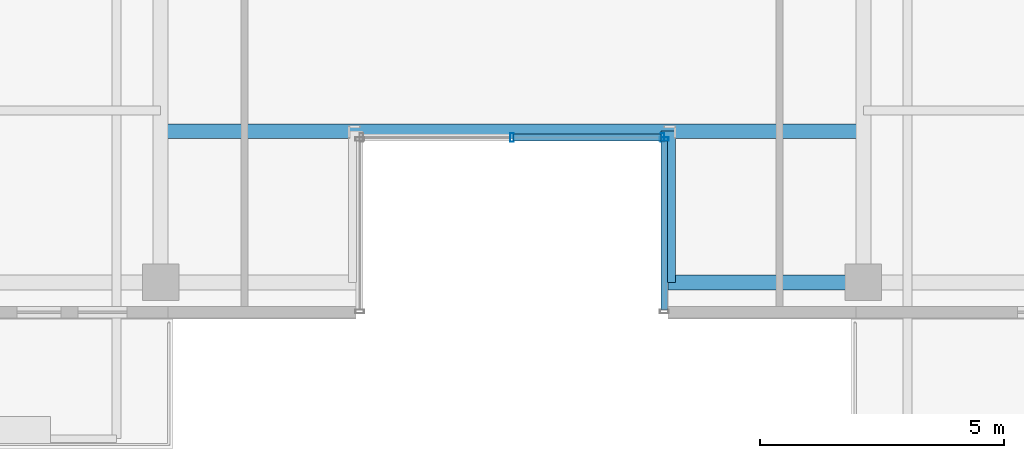
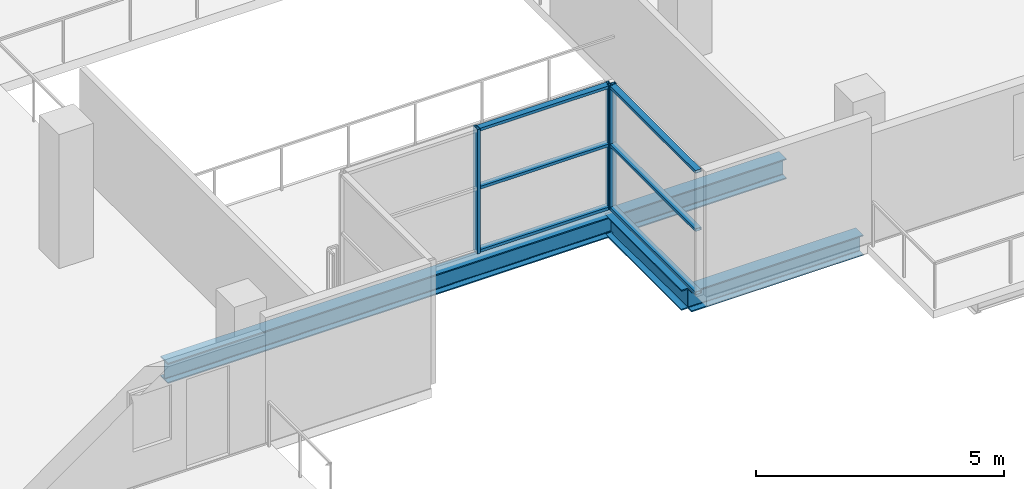
# One storey, part 3 of 21: 9 members, 3 beams, 2 elements without a shape of their own.
"""IFC4 building model written with IfcOpenShell, lengths in metres."""

from ifc_helpers import new_model, si_unit, direction, frame, origin, origin_2d, place, context, subcontext, project, spatial, hollow_rectangle, i_section, extrude, source, transform, mapped, material, layer, layer_set, material_profile, profile_set, type_object, element, aggregate, save


model = new_model("IFC4")

# Units and contexts
model_context = context("Model", 3, precision=1e-05, world=origin(), true_north=direction((0.0, 1.0)))
body_context = subcontext(model_context, "Body", "Model", "MODEL_VIEW")
ifc_project = project(units=[si_unit("LENGTHUNIT", "METRE"), si_unit("AREAUNIT", "SQUARE_METRE"), si_unit("VOLUMEUNIT", "CUBIC_METRE"), si_unit("PLANEANGLEUNIT", "RADIAN"), si_unit("MASSUNIT", "GRAM", prefix="KILO")], contexts=[model_context])

# Site, building, storey
site_placement = place(None, origin())
site = spatial("IfcSite", under=ifc_project, at=site_placement, CompositionType="ELEMENT")
building_placement = place(site_placement, origin())
building = spatial("IfcBuilding", under=site, at=building_placement, Name="Zarnakvel Exchange Tower", CompositionType="ELEMENT")
storey_placement = place(building_placement, frame((0.0, 0.0, 185.800048828125)))
storey = spatial("IfcBuildingStorey", under=building, at=storey_placement, Name="L52", CompositionType="ELEMENT", Elevation=185.800048828125)

# Beams
ifc_material_1 = material(Name="Steel S355", Category="steel")
ifc_material_profile_1 = material_profile(ifc_material_1, i_section(OverallWidth=0.300048828125, OverallDepth=0.5, WebThickness=0.014404296875, FlangeThickness=0.028076171875, FilletRadius=0.027099609375, at=origin_2d()))
ifc_profile_set_1 = profile_set([ifc_material_profile_1], Name="Steel S355")
beam_type_1 = type_object("IfcBeamType", Name="G-06", PredefinedType="BEAM", material=ifc_profile_set_1)
beam_1_placement = place(storey_placement, frame((3.199951171875, -16.64990234375, -0.47509765625), z_axis=(0.0, 1.0, 0.0), x_axis=(-1.0, 0.0, 0.0)))
element("IfcBeam", 1, at=beam_1_placement, inside=storey, type_object=beam_type_1, Name="L52 South Slot East Cheek Beam", PredefinedType="BEAM", context=body_context, shape_type="SweptSolid", body=[
    extrude(i_section(OverallWidth=0.300048828125, OverallDepth=0.5, WebThickness=0.014404296875, FlangeThickness=0.028076171875, FilletRadius=0.027099609375, at=origin_2d()), origin(), (0.0, 0.0, 1.0), 3.099853515625),
])
ifc_material_profile_2 = material_profile(ifc_material_1, i_section(OverallWidth=0.300048828125, OverallDepth=0.5, WebThickness=0.014404296875, FlangeThickness=0.028076171875, FilletRadius=0.027099609375, at=origin_2d()))
ifc_profile_set_2 = profile_set([ifc_material_profile_2], Name="Steel S355")
beam_type_2 = type_object("IfcBeamType", Name="SP-02", PredefinedType="SPANDREL", material=ifc_profile_set_2)
beam_2_placement = place(storey_placement, frame((3.199951171875, -16.64990234375, -0.47509765625), z_axis=(1.0, 0.0, 0.0), x_axis=(0.0, 1.0, 0.0)))
element("IfcBeam", 2, at=beam_2_placement, inside=storey, type_object=beam_type_2, Name="L52 South Slot East Jamb Spandrel", PredefinedType="SPANDREL", context=body_context, shape_type="SweptSolid", body=[
    extrude(i_section(OverallWidth=0.300048828125, OverallDepth=0.5, WebThickness=0.014404296875, FlangeThickness=0.028076171875, FilletRadius=0.027099609375, at=origin_2d()), origin(), (0.0, 0.0, 1.0), 4.0),
])
beam_3_placement = place(storey_placement, frame((-7.199951171875, -13.550048828125, -0.47509765625), z_axis=(1.0, 0.0, 0.0), x_axis=(0.0, 1.0, 0.0)))
element("IfcBeam", 3, at=beam_3_placement, inside=storey, type_object=beam_type_2, Name="L52 South Slot Head Trimmer Girder", PredefinedType="SPANDREL", context=body_context, shape_type="SweptSolid", body=[
    extrude(i_section(OverallWidth=0.300048828125, OverallDepth=0.5, WebThickness=0.014404296875, FlangeThickness=0.028076171875, FilletRadius=0.027099609375, at=origin_2d()), origin(), (0.0, 0.0, 1.0), 14.39990234375),
])

# Curtain wall, members
ifc_material_2 = material(Name="Architectural Bronze Anodised Aluminium", Category="aluminium")
ifc_layer = layer(ifc_material_2, 0.179931640625)
ifc_layer_set = layer_set([ifc_layer], Name="Architectural Bronze Anodised Aluminium")
curtain_wall_type = type_object("IfcCurtainWallType", Name="CW-05", PredefinedType="NOTDEFINED", material=ifc_layer_set)
curtain_wall_1_placement = place(storey_placement, origin())
curtain_wall_1 = element("IfcCurtainWall", 4, at=curtain_wall_1_placement, inside=storey, type_object=curtain_wall_type, Name="L52 Curtain Wall CW-L52-SLE (CW-05)", PredefinedType="NOTDEFINED")
ifc_material_profile_3 = material_profile(ifc_material_2, hollow_rectangle(XDim=0.139892578125, YDim=0.070068359375, WallThickness=0.00390625, at=origin_2d()))
ifc_profile_set_3 = profile_set([ifc_material_profile_3], Name="Architectural Bronze Anodised Aluminium")
member_type_1 = type_object("IfcMemberType", Name="CWT-05", PredefinedType="USERDEFINED", material=ifc_profile_set_3)
shared_shape_1 = source(origin(), body_context, "Body", "SweptSolid", [
    extrude(hollow_rectangle(XDim=0.139892578125, YDim=0.070068359375, WallThickness=0.00390625, at=origin_2d()), origin(), (0.0, 0.0, 1.0), 3.4599609375),
])
member_1_placement = place(storey_placement, frame((3.1201171875, -13.75, 0.034912109375), z_axis=(0.0, -1.0, 0.0), x_axis=(1.0, 0.0, 0.0)))
member_1 = element("IfcMember", 5, at=member_1_placement, type_object=member_type_1, Name="CW-05 transom 1.1", ObjectType="TRANSOM", PredefinedType="USERDEFINED", context=body_context, shape_type="MappedRepresentation", body=[
    mapped(shared_shape_1, transform((0.0, 0.0, 0.0), x_axis=(1.0, 0.0, 0.0), y_axis=(0.0, 1.0, 0.0), z_axis=(0.0, 0.0, 1.0), scale=1.0)),
])
member_2_placement = place(storey_placement, frame((3.1201171875, -13.75, 1.588623046875), z_axis=(0.0, -1.0, 0.0), x_axis=(1.0, 0.0, 0.0)))
member_2 = element("IfcMember", 6, at=member_2_placement, type_object=member_type_1, Name="CW-05 transom 1.2", ObjectType="TRANSOM", PredefinedType="USERDEFINED", context=body_context, shape_type="MappedRepresentation", body=[
    mapped(shared_shape_1, transform((0.0, 0.0, 0.0), x_axis=(1.0, 0.0, 0.0), y_axis=(0.0, 1.0, 0.0), z_axis=(0.0, 0.0, 1.0), scale=1.0)),
])
member_3_placement = place(storey_placement, frame((3.1201171875, -13.75, 3.02001953125), z_axis=(0.0, -1.0, 0.0), x_axis=(1.0, 0.0, 0.0)))
member_3 = element("IfcMember", 7, at=member_3_placement, type_object=member_type_1, Name="CW-05 transom 1.3", ObjectType="TRANSOM", PredefinedType="USERDEFINED", context=body_context, shape_type="MappedRepresentation", body=[
    mapped(shared_shape_1, transform((0.0, 0.0, 0.0), x_axis=(1.0, 0.0, 0.0), y_axis=(0.0, 1.0, 0.0), z_axis=(0.0, 0.0, 1.0), scale=1.0)),
])

curtain_wall_2_placement = place(storey_placement, origin())
curtain_wall_2 = element("IfcCurtainWall", 8, at=curtain_wall_2_placement, inside=storey, type_object=curtain_wall_type, Name="L52 Curtain Wall CW-L52-SLB (CW-05)", PredefinedType="NOTDEFINED")
shared_shape_2 = source(origin(), body_context, "Body", "SweptSolid", [
    extrude(hollow_rectangle(XDim=0.139892578125, YDim=0.070068359375, WallThickness=0.00390625, at=origin_2d()), origin(), (0.0, 0.0, 1.0), 3.01513671875),
])
member_4_placement = place(storey_placement, frame((0.034912109375, -13.679931640625, 0.034912109375), z_axis=(1.0, 0.0, 0.0), x_axis=(0.0, 1.0, 0.0)))
member_4 = element("IfcMember", 9, at=member_4_placement, type_object=member_type_1, Name="CW-05 transom 2.1", ObjectType="TRANSOM", PredefinedType="USERDEFINED", context=body_context, shape_type="MappedRepresentation", body=[
    mapped(shared_shape_2, transform((0.0, 0.0, 0.0), x_axis=(1.0, 0.0, 0.0), y_axis=(0.0, 1.0, 0.0), z_axis=(0.0, 0.0, 1.0), scale=1.0)),
])
member_5_placement = place(storey_placement, frame((0.034912109375, -13.679931640625, 1.588623046875), z_axis=(1.0, 0.0, 0.0), x_axis=(0.0, 1.0, 0.0)))
member_5 = element("IfcMember", 10, at=member_5_placement, type_object=member_type_1, Name="CW-05 transom 2.2", ObjectType="TRANSOM", PredefinedType="USERDEFINED", context=body_context, shape_type="MappedRepresentation", body=[
    mapped(shared_shape_2, transform((0.0, 0.0, 0.0), x_axis=(1.0, 0.0, 0.0), y_axis=(0.0, 1.0, 0.0), z_axis=(0.0, 0.0, 1.0), scale=1.0)),
])
member_6_placement = place(storey_placement, frame((0.034912109375, -13.679931640625, 3.02001953125), z_axis=(1.0, 0.0, 0.0), x_axis=(0.0, 1.0, 0.0)))
member_6 = element("IfcMember", 11, at=member_6_placement, type_object=member_type_1, Name="CW-05 transom 2.3", ObjectType="TRANSOM", PredefinedType="USERDEFINED", context=body_context, shape_type="MappedRepresentation", body=[
    mapped(shared_shape_2, transform((0.0, 0.0, 0.0), x_axis=(1.0, 0.0, 0.0), y_axis=(0.0, 1.0, 0.0), z_axis=(0.0, 0.0, 1.0), scale=1.0)),
])
ifc_material_profile_4 = material_profile(ifc_material_2, hollow_rectangle(XDim=0.179931640625, YDim=0.070068359375, WallThickness=0.00390625, at=origin_2d()))
ifc_profile_set_4 = profile_set([ifc_material_profile_4], Name="Architectural Bronze Anodised Aluminium")
member_type_2 = type_object("IfcMemberType", Name="CWM-05", PredefinedType="MULLION", material=ifc_profile_set_4)
shared_shape_3 = source(origin(), body_context, "Body", "SweptSolid", [
    extrude(hollow_rectangle(XDim=0.179931640625, YDim=0.070068359375, WallThickness=0.00390625, at=origin_2d()), origin(), (0.0, 0.0, 1.0), 3.054931640625),
])
member_7_placement = place(storey_placement, frame((0.0, -13.679931640625, 0.0), z_axis=(0.0, 0.0, 1.0), x_axis=(0.0, 1.0, 0.0)))
member_7 = element("IfcMember", 12, at=member_7_placement, type_object=member_type_2, Name="CW-05 mullion 2", PredefinedType="MULLION", context=body_context, shape_type="MappedRepresentation", body=[
    mapped(shared_shape_3, transform((0.0, 0.0, 0.0), x_axis=(1.0, 0.0, 0.0), y_axis=(0.0, 1.0, 0.0), z_axis=(0.0, 0.0, 1.0), scale=1.0)),
])
member_8_placement = place(storey_placement, frame((3.0849609375, -13.679931640625, 0.0), z_axis=(0.0, 0.0, 1.0), x_axis=(0.0, 1.0, 0.0)))
member_8 = element("IfcMember", 13, at=member_8_placement, type_object=member_type_2, Name="CW-05 mullion 3", PredefinedType="MULLION", context=body_context, shape_type="MappedRepresentation", body=[
    mapped(shared_shape_3, transform((0.0, 0.0, 0.0), x_axis=(1.0, 0.0, 0.0), y_axis=(0.0, 1.0, 0.0), z_axis=(0.0, 0.0, 1.0), scale=1.0)),
])
aggregate(curtain_wall_2, [member_7, member_8, member_4, member_5, member_6])

# Member
member_9_placement = place(storey_placement, frame((3.1201171875, -13.715087890625, 0.0), z_axis=(0.0, 0.0, 1.0), x_axis=(1.0, 0.0, 0.0)))
member_9 = element("IfcMember", 14, at=member_9_placement, type_object=member_type_2, Name="CW-05 mullion 1", PredefinedType="MULLION", context=body_context, shape_type="MappedRepresentation", body=[
    mapped(shared_shape_3, transform((0.0, 0.0, 0.0), x_axis=(1.0, 0.0, 0.0), y_axis=(0.0, 1.0, 0.0), z_axis=(0.0, 0.0, 1.0), scale=1.0)),
])

aggregate(curtain_wall_1, [member_9, member_1, member_2, member_3])

save(model, "model.ifc")
